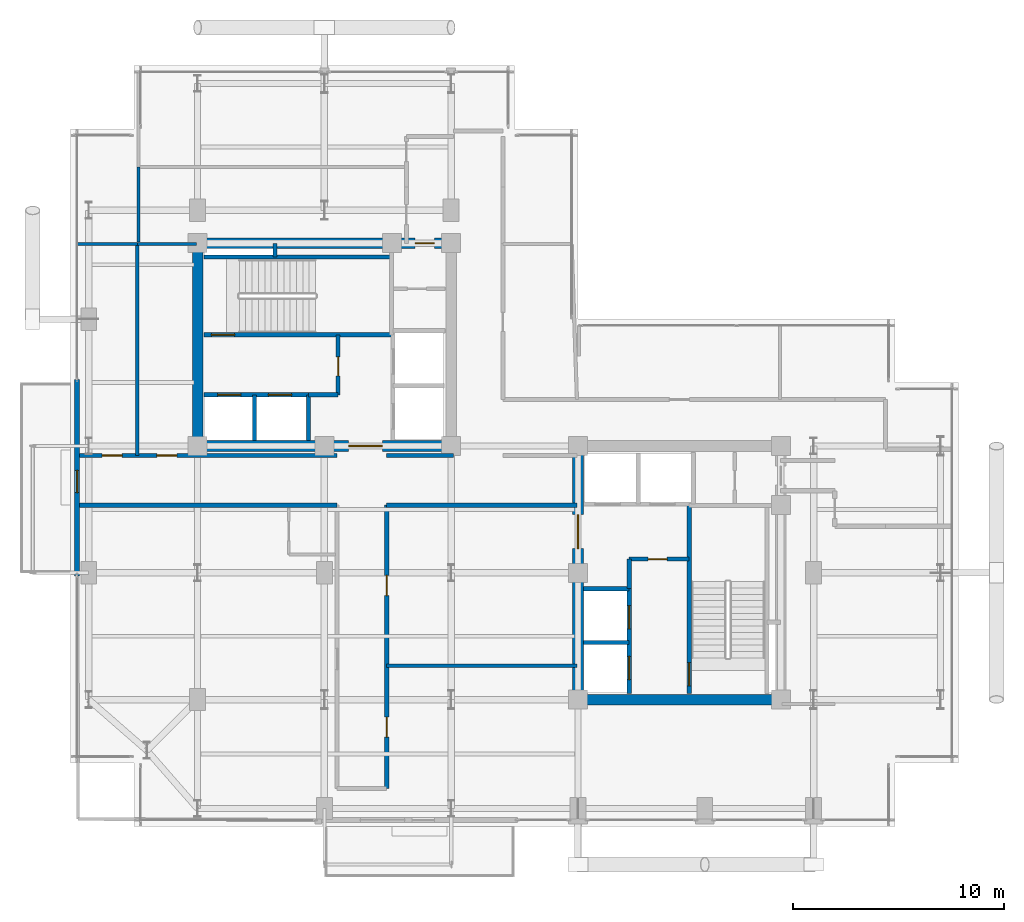
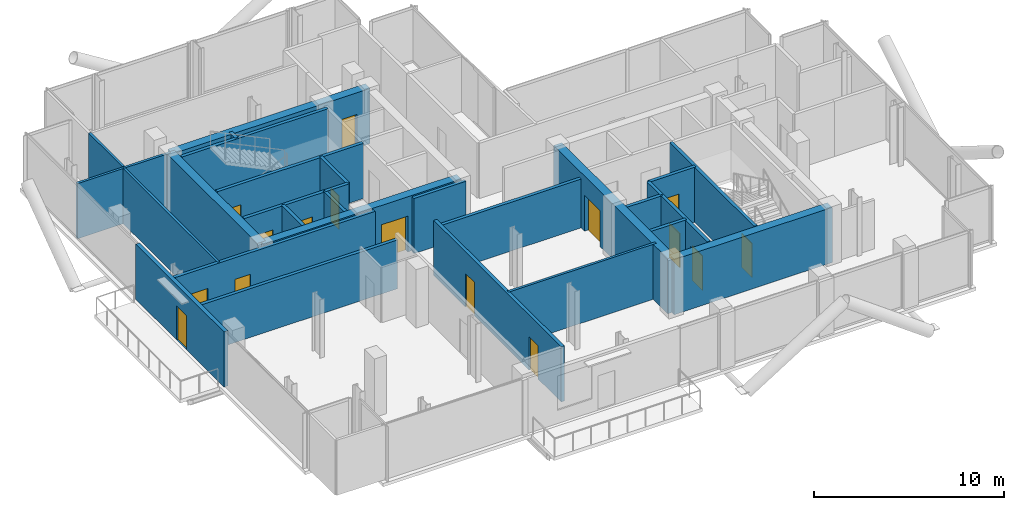
# One storey, part 17 of 21: 30 walls, 16 doors, 16 openings.
"""IFC4 building model written with IfcOpenShell, lengths in metres."""

from ifc_helpers import new_model, si_unit, direction, frame, frame_2d, origin, place, context, subcontext, project, spatial, rectangle, extrude, material, layer, layer_set, type_object, element, fill, save


model = new_model("IFC4")

# Units and contexts
model_context = context("Model", 3, precision=1e-05, world=origin(), true_north=direction((0.0, 1.0)))
body_context = subcontext(model_context, "Body", "Model", "MODEL_VIEW")
ifc_project = project(units=[si_unit("LENGTHUNIT", "METRE"), si_unit("AREAUNIT", "SQUARE_METRE"), si_unit("VOLUMEUNIT", "CUBIC_METRE"), si_unit("PLANEANGLEUNIT", "RADIAN"), si_unit("MASSUNIT", "GRAM", prefix="KILO"), si_unit("THERMODYNAMICTEMPERATUREUNIT", "KELVIN"), si_unit("POWERUNIT", "WATT")], contexts=[model_context])

# Site, building, storey
site_placement = place(None, origin())
site = spatial("IfcSite", under=ifc_project, at=site_placement, CompositionType="ELEMENT")
building_placement = place(site_placement, origin())
building = spatial("IfcBuilding", under=site, at=building_placement, Name="Svarakhadi Broadcast Tower", CompositionType="ELEMENT")
storey_placement = place(building_placement, frame((0.0, 0.0, 223.64990234375)))
storey = spatial("IfcBuildingStorey", under=building, at=storey_placement, Name="L55", CompositionType="ELEMENT", Elevation=223.64990234375)

# Wall, opening, door
ifc_material_1 = material(Name="Concrete C40/50 (IS 456 M50)", Category="concrete")
ifc_layer_1 = layer(ifc_material_1, 0.239990234375)
ifc_layer_set_1 = layer_set([ifc_layer_1], Name="Concrete C40/50 (IS 456 M50)")
wall_type_1 = type_object("IfcWallType", Name="Wall_Ext_240", PredefinedType="SOLIDWALL", material=ifc_layer_set_1)
wall_1_placement = place(storey_placement, frame((0.300048828125, 11.85498046875, 0.0), z_axis=(0.0, 0.0, 1.0), x_axis=(0.0, 1.0, 0.0)))
wall_1 = element("IfcWall", 1, at=wall_1_placement, inside=storey, type_object=wall_type_1, Name="L55 West Tree Balcony Spandrel Wall", PredefinedType="SOLIDWALL", context=body_context, shape_type="SweptSolid", body=[
    extrude(rectangle(XDim=9.2900390625, YDim=0.239990234375, at=frame_2d((4.64501953125, 0.0))), origin(), (0.0, 0.0, 1.0), 3.5400390625),
])
opening_1_placement = place(wall_1_placement, frame((3.945068359375, 0.0, 0.0)))
opening_1 = element("IfcOpeningElement", 2, at=opening_1_placement, cuts=wall_1, Name="Opening ED-06", PredefinedType="OPENING", context=body_context, shape_type="SweptSolid", body=[
    extrude(rectangle(XDim=1.050048828125, YDim=2.199951171875, at=frame_2d((0.52490234375, 1.10009765625))), frame((0.0, 0.1298828125, 0.0), z_axis=(0.0, -1.0, 0.0), x_axis=(1.0, 0.0, 0.0)), (0.0, 0.0, 1.0), 0.260009765625),
])
ifc_material_2 = material(Name="Anodised Bronze Aluminium AA 6063-T6", Category="aluminium")
door_type_1 = type_object("IfcDoorType", Name="Door_Ext_ED06", OperationType="SINGLE_SWING_RIGHT", PredefinedType="DOOR", material=ifc_material_2)
door_1_placement = place(opening_1_placement, origin())
door_1 = element("IfcDoor", 3, at=door_1_placement, inside=storey, type_object=door_type_1, Name="L55 West Tree Balcony Door", OperationType="SINGLE_SWING_RIGHT", OverallHeight=2.199951171875, OverallWidth=1.050048828125, PredefinedType="DOOR", context=body_context, shape_type="SweptSolid", body=[
    extrude(rectangle(XDim=1.050048828125, YDim=2.199951171875, at=frame_2d((0.52490234375, 1.10009765625))), frame((0.0, 0.02490234375, 0.0), z_axis=(0.0, -1.0, 0.0), x_axis=(1.0, 0.0, 0.0)), (0.0, 0.0, 1.0), 0.050048828125),
])
fill(opening_1, door_1)

# Wall
ifc_layer_2 = layer(ifc_material_1, 0.199951171875)
ifc_layer_set_2 = layer_set([ifc_layer_2], Name="Concrete C40/50 (IS 456 M50)")
wall_type_2 = type_object("IfcWallType", Name="Wall_Fire_200", PredefinedType="SOLIDWALL", material=ifc_layer_set_2)
wall_2_placement = place(storey_placement, frame((9.659912109375, 26.93994140625, 0.0), z_axis=(0.0, 0.0, 1.0), x_axis=(0.0, 1.0, 0.0)))
element("IfcWall", 4, at=wall_2_placement, inside=storey, type_object=wall_type_2, Name="L55 Wet Riser Shaft East Wall", PredefinedType="SOLIDWALL", context=body_context, shape_type="SweptSolid", body=[
    extrude(rectangle(XDim=0.64013671875, YDim=0.199951171875, at=frame_2d((0.320068359375, 0.0))), origin(), (0.0, 0.0, 1.0), 3.5400390625),
])

# Wall, openings, doors
wall_3_placement = place(storey_placement, frame((0.300048828125, 17.550048828125, 0.0), z_axis=(0.0, 0.0, 1.0), x_axis=(1.0, 0.0, 0.0)))
wall_3 = element("IfcWall", 5, at=wall_3_placement, inside=storey, type_object=wall_type_2, Name="L55 Upper Tower Concourse Wall", PredefinedType="SOLIDWALL", context=body_context, shape_type="SweptSolid", body=[
    extrude(rectangle(XDim=12.300048828125, YDim=0.199951171875, at=frame_2d((6.14990234375, 0.0))), origin(), (0.0, 0.0, 1.0), 3.5400390625),
])
opening_2_placement = place(wall_3_placement, frame((1.179931640625, 0.0, 0.0)))
opening_2 = element("IfcOpeningElement", 6, at=opening_2_placement, cuts=wall_3, Name="Opening D-07", PredefinedType="OPENING", context=body_context, shape_type="SweptSolid", body=[
    extrude(rectangle(XDim=0.949951171875, YDim=2.14990234375, at=frame_2d((0.47509765625, 1.074951171875))), frame((0.0, 0.10986328125, 0.0), z_axis=(0.0, -1.0, 0.0), x_axis=(1.0, 0.0, 0.0)), (0.0, 0.0, 1.0), 0.219970703125),
])
opening_3_placement = place(wall_3_placement, frame((3.77490234375, 0.0, 0.0)))
opening_3 = element("IfcOpeningElement", 7, at=opening_3_placement, cuts=wall_3, Name="Opening D-06", PredefinedType="OPENING", context=body_context, shape_type="SweptSolid", body=[
    extrude(rectangle(XDim=0.949951171875, YDim=2.14990234375, at=frame_2d((0.47509765625, 1.074951171875))), frame((0.0, 0.10986328125, 0.0), z_axis=(0.0, -1.0, 0.0), x_axis=(1.0, 0.0, 0.0)), (0.0, 0.0, 1.0), 0.219970703125),
])
ifc_material_3 = material(Name="Solid-Core Teak Veneer Acoustic Timber Leaf", Category="wood")
door_type_2 = type_object("IfcDoorType", Name="Door_Office_D06", OperationType="SINGLE_SWING_LEFT", PredefinedType="DOOR", material=ifc_material_3)
door_2_placement = place(opening_3_placement, origin())
door_2 = element("IfcDoor", 8, at=door_2_placement, inside=storey, type_object=door_type_2, Name="L55 Private Study and Library Office Door", OperationType="SINGLE_SWING_LEFT", OverallHeight=2.14990234375, OverallWidth=0.949951171875, PredefinedType="DOOR", context=body_context, shape_type="SweptSolid", body=[
    extrude(rectangle(XDim=0.949951171875, YDim=2.14990234375, at=frame_2d((0.47509765625, 1.074951171875))), frame((0.0, 0.02490234375, 0.0), z_axis=(0.0, -1.0, 0.0), x_axis=(1.0, 0.0, 0.0)), (0.0, 0.0, 1.0), 0.050048828125),
])
fill(opening_3, door_2)
door_type_3 = type_object("IfcDoorType", Name="Door_Office_D07", OperationType="SINGLE_SWING_RIGHT", PredefinedType="DOOR", material=ifc_material_3)
door_3_placement = place(opening_2_placement, origin())
door_3 = element("IfcDoor", 9, at=door_3_placement, inside=storey, type_object=door_type_3, Name="L55 Arabian Sea Panorama Salon Door", OperationType="SINGLE_SWING_RIGHT", OverallHeight=2.14990234375, OverallWidth=0.949951171875, PredefinedType="DOOR", context=body_context, shape_type="SweptSolid", body=[
    extrude(rectangle(XDim=0.949951171875, YDim=2.14990234375, at=frame_2d((0.47509765625, 1.074951171875))), frame((0.0, 0.02490234375, 0.0), z_axis=(0.0, -1.0, 0.0), x_axis=(1.0, 0.0, 0.0)), (0.0, 0.0, 1.0), 0.050048828125),
])
fill(opening_2, door_3)

# Walls
wall_4_placement = place(storey_placement, frame((14.949951171875, 17.550048828125, 0.0), z_axis=(0.0, 0.0, 1.0), x_axis=(1.0, 0.0, 0.0)))
element("IfcWall", 10, at=wall_4_placement, inside=storey, type_object=wall_type_2, Name="L55 Upper Tower Concourse Wall", PredefinedType="SOLIDWALL", context=body_context, shape_type="SweptSolid", body=[
    extrude(rectangle(XDim=3.150146484375, YDim=0.199951171875, at=frame_2d((1.5751953125, 0.0))), origin(), (0.0, 0.0, 1.0), 3.5400390625),
])
wall_5_placement = place(storey_placement, frame((23.949951171875, 15.199951171875, 0.0), z_axis=(0.0, 0.0, 1.0), x_axis=(-1.0, 0.0, 0.0)))
element("IfcWall", 11, at=wall_5_placement, inside=storey, type_object=wall_type_2, Name="L55 Upper Tower Concourse Wall", PredefinedType="SOLIDWALL", context=body_context, shape_type="SweptSolid", body=[
    extrude(rectangle(XDim=9.0, YDim=0.199951171875, at=frame_2d((4.5, 0.0))), origin(), (0.0, 0.0, 1.0), 3.132080078125),
])

# Wall, openings, doors
wall_6_placement = place(storey_placement, frame((14.949951171875, 15.199951171875, 0.0), z_axis=(0.0, 0.0, 1.0), x_axis=(0.0, -1.0, 0.0)))
wall_6 = element("IfcWall", 12, at=wall_6_placement, inside=storey, type_object=wall_type_2, Name="L55 Upper Tower Concourse Wall", PredefinedType="SOLIDWALL", context=body_context, shape_type="SweptSolid", body=[
    extrude(rectangle(XDim=13.39990234375, YDim=0.199951171875, at=frame_2d((6.699951171875, 0.0))), origin(), (0.0, 0.0, 1.0), 3.5400390625),
])
opening_4_placement = place(wall_6_placement, frame((10.02490234375, 0.0, 0.0)))
opening_4 = element("IfcOpeningElement", 13, at=opening_4_placement, cuts=wall_6, Name="Opening D-06", PredefinedType="OPENING", context=body_context, shape_type="SweptSolid", body=[
    extrude(rectangle(XDim=0.949951171875, YDim=2.14990234375, at=frame_2d((0.47509765625, 1.074951171875))), frame((0.0, 0.10986328125, 0.0), z_axis=(0.0, -1.0, 0.0), x_axis=(1.0, 0.0, 0.0)), (0.0, 0.0, 1.0), 0.219970703125),
])
opening_5_placement = place(wall_6_placement, frame((3.324951171875, 0.0, 0.0)))
opening_5 = element("IfcOpeningElement", 14, at=opening_5_placement, cuts=wall_6, Name="Opening D-07", PredefinedType="OPENING", context=body_context, shape_type="SweptSolid", body=[
    extrude(rectangle(XDim=0.949951171875, YDim=2.14990234375, at=frame_2d((0.47509765625, 1.074951171875))), frame((0.0, 0.10986328125, 0.0), z_axis=(0.0, -1.0, 0.0), x_axis=(1.0, 0.0, 0.0)), (0.0, 0.0, 1.0), 0.219970703125),
])
door_4_placement = place(opening_4_placement, origin())
door_4 = element("IfcDoor", 15, at=door_4_placement, inside=storey, type_object=door_type_2, Name="L55 Skyline Private Banquet Dining Room Door", OperationType="SINGLE_SWING_LEFT", OverallHeight=2.14990234375, OverallWidth=0.949951171875, PredefinedType="DOOR", context=body_context, shape_type="SweptSolid", body=[
    extrude(rectangle(XDim=0.949951171875, YDim=2.14990234375, at=frame_2d((0.47509765625, 1.074951171875))), frame((0.0, 0.02490234375, 0.0), z_axis=(0.0, -1.0, 0.0), x_axis=(1.0, 0.0, 0.0)), (0.0, 0.0, 1.0), 0.050048828125),
])
fill(opening_4, door_4)
door_5_placement = place(opening_5_placement, origin())
door_5 = element("IfcDoor", 16, at=door_5_placement, inside=storey, type_object=door_type_3, Name="L55 Banquet Finishing Kitchen Door", OperationType="SINGLE_SWING_RIGHT", OverallHeight=2.14990234375, OverallWidth=0.949951171875, PredefinedType="DOOR", context=body_context, shape_type="SweptSolid", body=[
    extrude(rectangle(XDim=0.949951171875, YDim=2.14990234375, at=frame_2d((0.47509765625, 1.074951171875))), frame((0.0, 0.02490234375, 0.0), z_axis=(0.0, -1.0, 0.0), x_axis=(1.0, 0.0, 0.0)), (0.0, 0.0, 1.0), 0.050048828125),
])
fill(opening_5, door_5)

# Walls
wall_7_placement = place(storey_placement, frame((12.60009765625, 15.199951171875, 0.0), z_axis=(0.0, 0.0, 1.0), x_axis=(-1.0, 0.0, 0.0)))
element("IfcWall", 17, at=wall_7_placement, inside=storey, type_object=wall_type_2, Name="L55 Upper Tower Concourse Wall", PredefinedType="SOLIDWALL", context=body_context, shape_type="SweptSolid", body=[
    extrude(rectangle(XDim=12.300048828125, YDim=0.199951171875, at=frame_2d((6.14990234375, 0.0))), origin(), (0.0, 0.0, 1.0), 3.132080078125),
])
ifc_material_4 = material(Name="Autoclaved Aerated Concrete Blockwork 150 mm", Category="masonry")
ifc_layer_3 = layer(ifc_material_4, 0.14990234375)
ifc_layer_set_3 = layer_set([ifc_layer_3], Name="Autoclaved Aerated Concrete Blockwork 150 mm")
wall_type_3 = type_object("IfcWallType", Name="Wall_Part_150", PredefinedType="PARTITIONING", material=ifc_layer_set_3)
wall_8_placement = place(storey_placement, frame((0.300048828125, 27.550048828125, 0.0), z_axis=(0.0, 0.0, 1.0), x_axis=(1.0, 0.0, 0.0)))
element("IfcWall", 18, at=wall_8_placement, inside=storey, type_object=wall_type_3, Name="L55 Arabian Sea Panorama Salon Wall", PredefinedType="PARTITIONING", context=body_context, shape_type="SweptSolid", body=[
    extrude(rectangle(XDim=2.849853515625, YDim=0.14990234375, at=frame_2d((1.4248046875, 0.0))), origin(), (0.0, 0.0, 1.0), 3.5400390625),
])
wall_9_placement = place(storey_placement, frame((3.14990234375, 17.550048828125, 0.0), z_axis=(0.0, 0.0, 1.0), x_axis=(0.0, 1.0, 0.0)))
element("IfcWall", 19, at=wall_9_placement, inside=storey, type_object=wall_type_3, Name="L55 Arabian Sea Panorama Salon Wall", PredefinedType="PARTITIONING", context=body_context, shape_type="SweptSolid", body=[
    extrude(rectangle(XDim=10.0, YDim=0.14990234375, at=frame_2d((5.0, 0.0))), origin(), (0.0, 0.0, 1.0), 3.5400390625),
])
wall_10_placement = place(storey_placement, frame((3.14990234375, 27.550048828125, 0.0), z_axis=(0.0, 0.0, 1.0), x_axis=(1.0, 0.0, 0.0)))
element("IfcWall", 20, at=wall_10_placement, inside=storey, type_object=wall_type_3, Name="L55 Private Study and Library Office Wall", PredefinedType="PARTITIONING", context=body_context, shape_type="SweptSolid", body=[
    extrude(rectangle(XDim=2.800048828125, YDim=0.14990234375, at=frame_2d((1.39990234375, 0.0))), origin(), (0.0, 0.0, 1.0), 3.5400390625),
])
wall_11_placement = place(storey_placement, frame((14.949951171875, 7.60009765625, 0.0), z_axis=(0.0, 0.0, 1.0), x_axis=(1.0, 0.0, 0.0)))
element("IfcWall", 21, at=wall_11_placement, inside=storey, type_object=wall_type_3, Name="L55 Skyline Private Banquet Dining Room Wall", PredefinedType="PARTITIONING", context=body_context, shape_type="SweptSolid", body=[
    extrude(rectangle(XDim=9.0, YDim=0.14990234375, at=frame_2d((4.5, 0.0))), origin(), (0.0, 0.0, 1.0), 3.5400390625),
])
wall_12_placement = place(storey_placement, frame((3.199951171875, 27.64990234375, 0.0), z_axis=(0.0, 0.0, 1.0), x_axis=(0.0, 1.0, 0.0)))
element("IfcWall", 22, at=wall_12_placement, inside=storey, type_object=wall_type_3, Name="L55 Ambassador Sky Lounge Wall", PredefinedType="PARTITIONING", context=body_context, shape_type="SweptSolid", body=[
    extrude(rectangle(XDim=3.550048828125, YDim=0.14990234375, at=frame_2d((1.77490234375, 0.0))), origin(), (0.0, 0.0, 1.0), 3.5400390625),
])

# Wall, opening, door
ifc_material_5 = material(Name="Concrete C50/60 (IS 456 M60)", Category="concrete")
ifc_layer_4 = layer(ifc_material_5, 0.199951171875)
ifc_layer_set_4 = layer_set([ifc_layer_4], Name="Concrete C50/60 (IS 456 M60)")
wall_type_4 = type_object("IfcWallType", Name="Wall_Shear_200", PredefinedType="SHEAR", material=ifc_layer_set_4)
wall_13_placement = place(storey_placement, frame((6.300048828125, 23.260009765625, 0.0), z_axis=(0.0, 0.0, 1.0), x_axis=(1.0, 0.0, 0.0)))
wall_13 = element("IfcWall", 23, at=wall_13_placement, inside=storey, type_object=wall_type_4, Name="L55 Stair ST-01 South RC Shaft Wall", PredefinedType="SHEAR", context=body_context, shape_type="SweptSolid", body=[
    extrude(rectangle(XDim=8.8798828125, YDim=0.199951171875, at=frame_2d((4.43994140625, 0.0))), origin(), (0.0, 0.0, 1.0), 3.5400390625),
])
opening_6_placement = place(wall_13_placement, frame((0.35009765625, 0.0, 0.0)))
opening_6 = element("IfcOpeningElement", 24, at=opening_6_placement, cuts=wall_13, Name="Opening D-01", PredefinedType="OPENING", context=body_context, shape_type="SweptSolid", body=[
    extrude(rectangle(XDim=1.10009765625, YDim=2.199951171875, at=frame_2d((0.550048828125, 1.10009765625))), frame((0.0, 0.10986328125, 0.0), z_axis=(0.0, -1.0, 0.0), x_axis=(1.0, 0.0, 0.0)), (0.0, 0.0, 1.0), 0.219970703125),
])
ifc_material_6 = material(Name="Galvanised Powder-Coated Fire-Rated Steel Leaf", Category="steel")
door_type_4 = type_object("IfcDoorType", Name="Door_Stair_D01", OperationType="SINGLE_SWING_LEFT", PredefinedType="DOOR", material=ifc_material_6)
door_6_placement = place(opening_6_placement, origin())
door_6 = element("IfcDoor", 25, at=door_6_placement, inside=storey, type_object=door_type_4, Name="L55 Protected Exit Stair ST-01 Fire Door", OperationType="SINGLE_SWING_LEFT", OverallHeight=2.199951171875, OverallWidth=1.10009765625, PredefinedType="DOOR", context=body_context, shape_type="SweptSolid", body=[
    extrude(rectangle(XDim=1.10009765625, YDim=2.199951171875, at=frame_2d((0.550048828125, 1.10009765625))), frame((0.0, 0.02490234375, 0.0), z_axis=(0.0, -1.0, 0.0), x_axis=(1.0, 0.0, 0.0)), (0.0, 0.0, 1.0), 0.050048828125),
])
fill(opening_6, door_6)

# Wall
wall_14_placement = place(storey_placement, frame((6.300048828125, 26.93994140625, 0.0), z_axis=(0.0, 0.0, 1.0), x_axis=(1.0, 0.0, 0.0)))
element("IfcWall", 26, at=wall_14_placement, inside=storey, type_object=wall_type_4, Name="L55 Stair ST-01 North RC Shaft Wall", PredefinedType="SHEAR", context=body_context, shape_type="SweptSolid", body=[
    extrude(rectangle(XDim=8.8798828125, YDim=0.199951171875, at=frame_2d((4.43994140625, 0.0))), origin(), (0.0, 0.0, 1.0), 3.5400390625),
])

# Wall, opening, door
wall_15_placement = place(storey_placement, frame((29.260009765625, 6.300048828125, 0.0), z_axis=(0.0, 0.0, 1.0), x_axis=(0.0, 1.0, 0.0)))
wall_15 = element("IfcWall", 27, at=wall_15_placement, inside=storey, type_object=wall_type_4, Name="L55 Stair ST-02 West RC Shaft Wall", PredefinedType="SHEAR", context=body_context, shape_type="SweptSolid", body=[
    extrude(rectangle(XDim=8.8798828125, YDim=0.199951171875, at=frame_2d((4.43994140625, 0.0))), origin(), (0.0, 0.0, 1.0), 3.5400390625),
])
opening_7_placement = place(wall_15_placement, frame((0.35009765625, 0.0, 0.0)))
opening_7 = element("IfcOpeningElement", 28, at=opening_7_placement, cuts=wall_15, Name="Opening D-02", PredefinedType="OPENING", context=body_context, shape_type="SweptSolid", body=[
    extrude(rectangle(XDim=1.10009765625, YDim=2.199951171875, at=frame_2d((0.550048828125, 1.10009765625))), frame((0.0, 0.10986328125, 0.0), z_axis=(0.0, -1.0, 0.0), x_axis=(1.0, 0.0, 0.0)), (0.0, 0.0, 1.0), 0.219970703125),
])
door_type_5 = type_object("IfcDoorType", Name="Door_Stair_D02", OperationType="SINGLE_SWING_RIGHT", PredefinedType="DOOR", material=ifc_material_6)
door_7_placement = place(opening_7_placement, origin())
door_7 = element("IfcDoor", 29, at=door_7_placement, inside=storey, type_object=door_type_5, Name="L55 Protected Exit Stair ST-02 Fire Door", OperationType="SINGLE_SWING_RIGHT", OverallHeight=2.199951171875, OverallWidth=1.10009765625, PredefinedType="DOOR", context=body_context, shape_type="SweptSolid", body=[
    extrude(rectangle(XDim=1.10009765625, YDim=2.199951171875, at=frame_2d((0.550048828125, 1.10009765625))), frame((0.0, 0.02490234375, 0.0), z_axis=(0.0, -1.0, 0.0), x_axis=(1.0, 0.0, 0.0)), (0.0, 0.0, 1.0), 0.050048828125),
])
fill(opening_7, door_7)

# Wall, openings, doors
wall_16_placement = place(storey_placement, frame((6.300048828125, 20.419921875, 0.0), z_axis=(0.0, 0.0, 1.0), x_axis=(1.0, 0.0, 0.0)))
wall_16 = element("IfcWall", 30, at=wall_16_placement, inside=storey, type_object=wall_type_4, Name="L55 Firefighting Lift LF-01/02 Shaft Wall", PredefinedType="SHEAR", context=body_context, shape_type="SweptSolid", body=[
    extrude(rectangle(XDim=4.949951171875, YDim=0.199951171875, at=frame_2d((2.47509765625, 0.0))), origin(), (0.0, 0.0, 1.0), 3.5400390625),
])
opening_8_placement = place(wall_16_placement, frame((0.64990234375, 0.0, 0.0)))
opening_8 = element("IfcOpeningElement", 31, at=opening_8_placement, cuts=wall_16, Name="Opening LD-01", PredefinedType="OPENING", context=body_context, shape_type="SweptSolid", body=[
    extrude(rectangle(XDim=1.10009765625, YDim=2.199951171875, at=frame_2d((0.550048828125, 1.10009765625))), frame((0.0, 0.10986328125, 0.0), z_axis=(0.0, -1.0, 0.0), x_axis=(1.0, 0.0, 0.0)), (0.0, 0.0, 1.0), 0.219970703125),
])
opening_9_placement = place(wall_16_placement, frame((3.050048828125, 0.0, 0.0)))
opening_9 = element("IfcOpeningElement", 32, at=opening_9_placement, cuts=wall_16, Name="Opening LD-01", PredefinedType="OPENING", context=body_context, shape_type="SweptSolid", body=[
    extrude(rectangle(XDim=1.10009765625, YDim=2.199951171875, at=frame_2d((0.550048828125, 1.10009765625))), frame((0.0, 0.10986328125, 0.0), z_axis=(0.0, -1.0, 0.0), x_axis=(1.0, 0.0, 0.0)), (0.0, 0.0, 1.0), 0.219970703125),
])
door_type_6 = type_object("IfcDoorType", Name="Door_Lift_LD01", OperationType="SLIDING_TO_LEFT", PredefinedType="DOOR", material=ifc_material_6)
door_8_placement = place(opening_8_placement, origin())
door_8 = element("IfcDoor", 33, at=door_8_placement, inside=storey, type_object=door_type_6, Name="L55 Firefighting Lift LF-01 Landing Door", OperationType="SLIDING_TO_LEFT", OverallHeight=2.199951171875, OverallWidth=1.10009765625, PredefinedType="DOOR", context=body_context, shape_type="SweptSolid", body=[
    extrude(rectangle(XDim=1.10009765625, YDim=2.199951171875, at=frame_2d((0.550048828125, 1.10009765625))), frame((0.0, 0.02490234375, 0.0), z_axis=(0.0, -1.0, 0.0), x_axis=(1.0, 0.0, 0.0)), (0.0, 0.0, 1.0), 0.050048828125),
])
fill(opening_8, door_8)
door_9_placement = place(opening_9_placement, origin())
door_9 = element("IfcDoor", 34, at=door_9_placement, inside=storey, type_object=door_type_6, Name="L55 Firefighting Lift LF-02 Landing Door", OperationType="SLIDING_TO_LEFT", OverallHeight=2.199951171875, OverallWidth=1.10009765625, PredefinedType="DOOR", context=body_context, shape_type="SweptSolid", body=[
    extrude(rectangle(XDim=1.10009765625, YDim=2.199951171875, at=frame_2d((0.550048828125, 1.10009765625))), frame((0.0, 0.02490234375, 0.0), z_axis=(0.0, -1.0, 0.0), x_axis=(1.0, 0.0, 0.0)), (0.0, 0.0, 1.0), 0.050048828125),
])
fill(opening_9, door_9)

# Walls
for number, where, z_axis, x_axis, name in (
    (35, (8.699951171875, 18.25, 0.0), (0.0, 0.0, 1.0), (0.0, 1.0, 0.0), "L55 Firefighting Lift LF-01/02 Divider Wall"),
    (36, (11.25, 18.25, 0.0), (0.0, 0.0, 1.0), (0.0, 1.0, 0.0), "L55 Firefighting Lift LF-02 East Wall"),
):
    element("IfcWall", number, at=place(storey_placement, frame(where, z_axis=z_axis, x_axis=x_axis)), inside=storey, type_object=wall_type_4, Name=name, PredefinedType="SHEAR", context=body_context, shape_type="SweptSolid", body=[
        extrude(rectangle(XDim=2.169921875, YDim=0.199951171875, at=frame_2d((1.0849609375, 0.0))), origin(), (0.0, 0.0, 1.0), 3.5400390625),
    ])
wall_17_placement = place(storey_placement, frame((11.25, 20.419921875, 0.0), z_axis=(0.0, 0.0, 1.0), x_axis=(1.0, 0.0, 0.0)))
element("IfcWall", 37, at=wall_17_placement, inside=storey, type_object=wall_type_4, Name="L55 West Firefighting Lobby South Wall", PredefinedType="SHEAR", context=body_context, shape_type="SweptSolid", body=[
    extrude(rectangle(XDim=1.39990234375, YDim=0.199951171875, at=frame_2d((0.699951171875, 0.0))), origin(), (0.0, 0.0, 1.0), 3.5400390625),
])

# Wall, opening, door
wall_18_placement = place(storey_placement, frame((12.64990234375, 20.419921875, 0.0), z_axis=(0.0, 0.0, 1.0), x_axis=(0.0, 1.0, 0.0)))
wall_18 = element("IfcWall", 38, at=wall_18_placement, inside=storey, type_object=wall_type_4, Name="L55 West Firefighting Lobby East Wall", PredefinedType="SHEAR", context=body_context, shape_type="SweptSolid", body=[
    extrude(rectangle(XDim=2.840087890625, YDim=0.199951171875, at=frame_2d((1.419921875, 0.0))), origin(), (0.0, 0.0, 1.0), 3.5400390625),
])
opening_10_placement = place(wall_18_placement, frame((0.89990234375, 0.0, 0.0)))
opening_10 = element("IfcOpeningElement", 39, at=opening_10_placement, cuts=wall_18, Name="Opening D-04", PredefinedType="OPENING", context=body_context, shape_type="SweptSolid", body=[
    extrude(rectangle(XDim=0.89990234375, YDim=2.14990234375, at=frame_2d((0.449951171875, 1.074951171875))), frame((0.0, 0.10986328125, 0.0), z_axis=(0.0, -1.0, 0.0), x_axis=(1.0, 0.0, 0.0)), (0.0, 0.0, 1.0), 0.219970703125),
])
door_type_7 = type_object("IfcDoorType", Name="Door_Fire_D04", OperationType="SINGLE_SWING_RIGHT", PredefinedType="DOOR", material=ifc_material_6)
door_10_placement = place(opening_10_placement, origin())
door_10 = element("IfcDoor", 40, at=door_10_placement, inside=storey, type_object=door_type_7, Name="L55 West Firefighting Lobby Fire Door", OperationType="SINGLE_SWING_RIGHT", OverallHeight=2.14990234375, OverallWidth=0.89990234375, PredefinedType="DOOR", context=body_context, shape_type="SweptSolid", body=[
    extrude(rectangle(XDim=0.89990234375, YDim=2.14990234375, at=frame_2d((0.449951171875, 1.074951171875))), frame((0.0, 0.02490234375, 0.0), z_axis=(0.0, -1.0, 0.0), x_axis=(1.0, 0.0, 0.0)), (0.0, 0.0, 1.0), 0.050048828125),
])
fill(opening_10, door_10)

# Wall, openings, doors
wall_19_placement = place(storey_placement, frame((26.419921875, 6.300048828125, 0.0), z_axis=(0.0, 0.0, 1.0), x_axis=(0.0, 1.0, 0.0)))
wall_19 = element("IfcWall", 41, at=wall_19_placement, inside=storey, type_object=wall_type_4, Name="L55 Firefighting Lift LF-03/04 Shaft Wall", PredefinedType="SHEAR", context=body_context, shape_type="SweptSolid", body=[
    extrude(rectangle(XDim=4.949951171875, YDim=0.199951171875, at=frame_2d((2.47509765625, 0.0))), origin(), (0.0, 0.0, 1.0), 3.5400390625),
])
opening_11_placement = place(wall_19_placement, frame((0.64990234375, 0.0, 0.0)))
opening_11 = element("IfcOpeningElement", 42, at=opening_11_placement, cuts=wall_19, Name="Opening LD-01", PredefinedType="OPENING", context=body_context, shape_type="SweptSolid", body=[
    extrude(rectangle(XDim=1.10009765625, YDim=2.199951171875, at=frame_2d((0.550048828125, 1.10009765625))), frame((0.0, 0.10986328125, 0.0), z_axis=(0.0, -1.0, 0.0), x_axis=(1.0, 0.0, 0.0)), (0.0, 0.0, 1.0), 0.219970703125),
])
opening_12_placement = place(wall_19_placement, frame((3.050048828125, 0.0, 0.0)))
opening_12 = element("IfcOpeningElement", 43, at=opening_12_placement, cuts=wall_19, Name="Opening LD-01", PredefinedType="OPENING", context=body_context, shape_type="SweptSolid", body=[
    extrude(rectangle(XDim=1.10009765625, YDim=2.199951171875, at=frame_2d((0.550048828125, 1.10009765625))), frame((0.0, 0.10986328125, 0.0), z_axis=(0.0, -1.0, 0.0), x_axis=(1.0, 0.0, 0.0)), (0.0, 0.0, 1.0), 0.219970703125),
])
door_11_placement = place(opening_11_placement, origin())
door_11 = element("IfcDoor", 44, at=door_11_placement, inside=storey, type_object=door_type_6, Name="L55 Firefighting Lift LF-03 Landing Door", OperationType="SLIDING_TO_LEFT", OverallHeight=2.199951171875, OverallWidth=1.10009765625, PredefinedType="DOOR", context=body_context, shape_type="SweptSolid", body=[
    extrude(rectangle(XDim=1.10009765625, YDim=2.199951171875, at=frame_2d((0.550048828125, 1.10009765625))), frame((0.0, 0.02490234375, 0.0), z_axis=(0.0, -1.0, 0.0), x_axis=(1.0, 0.0, 0.0)), (0.0, 0.0, 1.0), 0.050048828125),
])
fill(opening_11, door_11)
door_12_placement = place(opening_12_placement, origin())
door_12 = element("IfcDoor", 45, at=door_12_placement, inside=storey, type_object=door_type_6, Name="L55 Firefighting Lift LF-04 Landing Door", OperationType="SLIDING_TO_LEFT", OverallHeight=2.199951171875, OverallWidth=1.10009765625, PredefinedType="DOOR", context=body_context, shape_type="SweptSolid", body=[
    extrude(rectangle(XDim=1.10009765625, YDim=2.199951171875, at=frame_2d((0.550048828125, 1.10009765625))), frame((0.0, 0.02490234375, 0.0), z_axis=(0.0, -1.0, 0.0), x_axis=(1.0, 0.0, 0.0)), (0.0, 0.0, 1.0), 0.050048828125),
])
fill(opening_12, door_12)

# Walls
for number, where, z_axis, x_axis, name in (
    (46, (24.25, 8.699951171875, 0.0), (0.0, 0.0, 1.0), (1.0, 0.0, 0.0), "L55 Firefighting Lift LF-03/04 Divider Wall"),
    (47, (24.25, 11.25, 0.0), (0.0, 0.0, 1.0), (1.0, 0.0, 0.0), "L55 Firefighting Lift LF-04 North Wall"),
):
    element("IfcWall", number, at=place(storey_placement, frame(where, z_axis=z_axis, x_axis=x_axis)), inside=storey, type_object=wall_type_4, Name=name, PredefinedType="SHEAR", context=body_context, shape_type="SweptSolid", body=[
        extrude(rectangle(XDim=2.169921875, YDim=0.199951171875, at=frame_2d((1.0849609375, 0.0))), origin(), (0.0, 0.0, 1.0), 3.5400390625),
    ])
wall_20_placement = place(storey_placement, frame((26.419921875, 11.25, 0.0), z_axis=(0.0, 0.0, 1.0), x_axis=(0.0, 1.0, 0.0)))
element("IfcWall", 48, at=wall_20_placement, inside=storey, type_object=wall_type_4, Name="L55 East Firefighting Lobby West Wall", PredefinedType="SHEAR", context=body_context, shape_type="SweptSolid", body=[
    extrude(rectangle(XDim=1.39990234375, YDim=0.199951171875, at=frame_2d((0.699951171875, 0.0))), origin(), (0.0, 0.0, 1.0), 3.5400390625),
])

# Wall, opening, door
wall_21_placement = place(storey_placement, frame((26.419921875, 12.64990234375, 0.0), z_axis=(0.0, 0.0, 1.0), x_axis=(1.0, 0.0, 0.0)))
wall_21 = element("IfcWall", 49, at=wall_21_placement, inside=storey, type_object=wall_type_4, Name="L55 East Firefighting Lobby North Wall", PredefinedType="SHEAR", context=body_context, shape_type="SweptSolid", body=[
    extrude(rectangle(XDim=2.840087890625, YDim=0.199951171875, at=frame_2d((1.419921875, 0.0))), origin(), (0.0, 0.0, 1.0), 3.5400390625),
])
opening_13_placement = place(wall_21_placement, frame((0.89990234375, 0.0, 0.0)))
opening_13 = element("IfcOpeningElement", 50, at=opening_13_placement, cuts=wall_21, Name="Opening D-03", PredefinedType="OPENING", context=body_context, shape_type="SweptSolid", body=[
    extrude(rectangle(XDim=0.89990234375, YDim=2.14990234375, at=frame_2d((0.449951171875, 1.074951171875))), frame((0.0, 0.10986328125, 0.0), z_axis=(0.0, -1.0, 0.0), x_axis=(1.0, 0.0, 0.0)), (0.0, 0.0, 1.0), 0.219970703125),
])
door_type_8 = type_object("IfcDoorType", Name="Door_Fire_D03", OperationType="SINGLE_SWING_LEFT", PredefinedType="DOOR", material=ifc_material_6)
door_13_placement = place(opening_13_placement, origin())
door_13 = element("IfcDoor", 51, at=door_13_placement, inside=storey, type_object=door_type_8, Name="L55 East Firefighting Lobby Fire Door", OperationType="SINGLE_SWING_LEFT", OverallHeight=2.14990234375, OverallWidth=0.89990234375, PredefinedType="DOOR", context=body_context, shape_type="SweptSolid", body=[
    extrude(rectangle(XDim=0.89990234375, YDim=2.14990234375, at=frame_2d((0.449951171875, 1.074951171875))), frame((0.0, 0.02490234375, 0.0), z_axis=(0.0, -1.0, 0.0), x_axis=(1.0, 0.0, 0.0)), (0.0, 0.0, 1.0), 0.050048828125),
])
fill(opening_13, door_13)

ifc_layer_5 = layer(ifc_material_5, 0.5)
ifc_layer_set_5 = layer_set([ifc_layer_5], Name="Concrete C50/60 (IS 456 M60)")
wall_type_5 = type_object("IfcWallType", Name="Wall_Shear_500", PredefinedType="SHEAR", material=ifc_layer_set_5)
wall_22_placement = place(storey_placement, frame((6.0, 18.0, 0.0), z_axis=(0.0, 0.0, 1.0), x_axis=(1.0, 0.0, 0.0)))
wall_22 = element("IfcWall", 52, at=wall_22_placement, inside=storey, type_object=wall_type_5, Name="L55 West Core South Shear Wall", PredefinedType="SHEAR", context=body_context, shape_type="SweptSolid", body=[
    extrude(rectangle(XDim=12.0, YDim=0.5, at=frame_2d((6.0, 0.0))), origin(), (0.0, 0.0, 1.0), 3.5400390625),
])
opening_14_placement = place(wall_22_placement, frame((7.14990234375, 0.0, 0.0)))
opening_14 = element("IfcOpeningElement", 53, at=opening_14_placement, cuts=wall_22, Name="Opening D-05", PredefinedType="OPENING", context=body_context, shape_type="SweptSolid", body=[
    extrude(rectangle(XDim=1.60009765625, YDim=2.300048828125, at=frame_2d((0.800048828125, 1.14990234375))), frame((0.0, 0.260009765625, 0.0), z_axis=(0.0, -1.0, 0.0), x_axis=(1.0, 0.0, 0.0)), (0.0, 0.0, 1.0), 0.52001953125),
])
door_type_9 = type_object("IfcDoorType", Name="Door_Lobby_D05", OperationType="DOUBLE_DOOR_SLIDING", PredefinedType="DOOR", material=ifc_material_2)
door_14_placement = place(opening_14_placement, origin())
door_14 = element("IfcDoor", 54, at=door_14_placement, inside=storey, type_object=door_type_9, Name="L55 West Core Passenger Lift Lobby Entrance Door", OperationType="DOUBLE_DOOR_SLIDING", OverallHeight=2.300048828125, OverallWidth=1.60009765625, PredefinedType="DOOR", context=body_context, shape_type="SweptSolid", body=[
    extrude(rectangle(XDim=1.60009765625, YDim=2.300048828125, at=frame_2d((0.800048828125, 1.14990234375))), frame((0.0, 0.02490234375, 0.0), z_axis=(0.0, -1.0, 0.0), x_axis=(1.0, 0.0, 0.0)), (0.0, 0.0, 1.0), 0.050048828125),
])
fill(opening_14, door_14)

wall_23_placement = place(storey_placement, frame((6.0, 27.60009765625, 0.0), z_axis=(0.0, 0.0, 1.0), x_axis=(1.0, 0.0, 0.0)))
wall_23 = element("IfcWall", 55, at=wall_23_placement, inside=storey, type_object=wall_type_5, Name="L55 West Core North Shear Wall", PredefinedType="SHEAR", context=body_context, shape_type="SweptSolid", body=[
    extrude(rectangle(XDim=12.0, YDim=0.5, at=frame_2d((6.0, 0.0))), origin(), (0.0, 0.0, 1.0), 3.5400390625),
])
opening_15_placement = place(wall_23_placement, frame((10.300048828125, 0.0, 0.0)))
opening_15 = element("IfcOpeningElement", 56, at=opening_15_placement, cuts=wall_23, Name="Opening D-03", PredefinedType="OPENING", context=body_context, shape_type="SweptSolid", body=[
    extrude(rectangle(XDim=0.89990234375, YDim=2.14990234375, at=frame_2d((0.449951171875, 1.074951171875))), frame((0.0, 0.260009765625, 0.0), z_axis=(0.0, -1.0, 0.0), x_axis=(1.0, 0.0, 0.0)), (0.0, 0.0, 1.0), 0.52001953125),
])
door_15_placement = place(opening_15_placement, origin())
door_15 = element("IfcDoor", 57, at=door_15_placement, inside=storey, type_object=door_type_8, Name="L55 West Core Store A Door", OperationType="SINGLE_SWING_LEFT", OverallHeight=2.14990234375, OverallWidth=0.89990234375, PredefinedType="DOOR", context=body_context, shape_type="SweptSolid", body=[
    extrude(rectangle(XDim=0.89990234375, YDim=2.14990234375, at=frame_2d((0.449951171875, 1.074951171875))), frame((0.0, 0.02490234375, 0.0), z_axis=(0.0, -1.0, 0.0), x_axis=(1.0, 0.0, 0.0)), (0.0, 0.0, 1.0), 0.050048828125),
])
fill(opening_15, door_15)

# Walls
for number, where, z_axis, x_axis, name in (
    (58, (6.0, 18.0, 0.0), (0.0, 0.0, 1.0), (0.0, 1.0, 0.0), "L55 West Core West Shear Wall"),
    (59, (24.0, 6.0, 0.0), (0.0, 0.0, 1.0), (1.0, 0.0, 0.0), "L55 East Core South Shear Wall"),
):
    element("IfcWall", number, at=place(storey_placement, frame(where, z_axis=z_axis, x_axis=x_axis)), inside=storey, type_object=wall_type_5, Name=name, PredefinedType="SHEAR", context=body_context, shape_type="SweptSolid", body=[
        extrude(rectangle(XDim=9.60009765625, YDim=0.5, at=frame_2d((4.800048828125, 0.0))), origin(), (0.0, 0.0, 1.0), 3.5400390625),
    ])

# Wall, opening, door
wall_24_placement = place(storey_placement, frame((24.0, 6.0, 0.0), z_axis=(0.0, 0.0, 1.0), x_axis=(0.0, 1.0, 0.0)))
wall_24 = element("IfcWall", 60, at=wall_24_placement, inside=storey, type_object=wall_type_5, Name="L55 East Core West Shear Wall", PredefinedType="SHEAR", context=body_context, shape_type="SweptSolid", body=[
    extrude(rectangle(XDim=12.0, YDim=0.5, at=frame_2d((6.0, 0.0))), origin(), (0.0, 0.0, 1.0), 3.5400390625),
])
opening_16_placement = place(wall_24_placement, frame((7.14990234375, 0.0, 0.0)))
opening_16 = element("IfcOpeningElement", 61, at=opening_16_placement, cuts=wall_24, Name="Opening D-05", PredefinedType="OPENING", context=body_context, shape_type="SweptSolid", body=[
    extrude(rectangle(XDim=1.60009765625, YDim=2.300048828125, at=frame_2d((0.800048828125, 1.14990234375))), frame((0.0, 0.260009765625, 0.0), z_axis=(0.0, -1.0, 0.0), x_axis=(1.0, 0.0, 0.0)), (0.0, 0.0, 1.0), 0.52001953125),
])
door_16_placement = place(opening_16_placement, origin())
door_16 = element("IfcDoor", 62, at=door_16_placement, inside=storey, type_object=door_type_9, Name="L55 East Core Passenger Lift Lobby Entrance Door", OperationType="DOUBLE_DOOR_SLIDING", OverallHeight=2.300048828125, OverallWidth=1.60009765625, PredefinedType="DOOR", context=body_context, shape_type="SweptSolid", body=[
    extrude(rectangle(XDim=1.60009765625, YDim=2.300048828125, at=frame_2d((0.800048828125, 1.14990234375))), frame((0.0, 0.02490234375, 0.0), z_axis=(0.0, -1.0, 0.0), x_axis=(1.0, 0.0, 0.0)), (0.0, 0.0, 1.0), 0.050048828125),
])
fill(opening_16, door_16)

save(model, "model.ifc")
